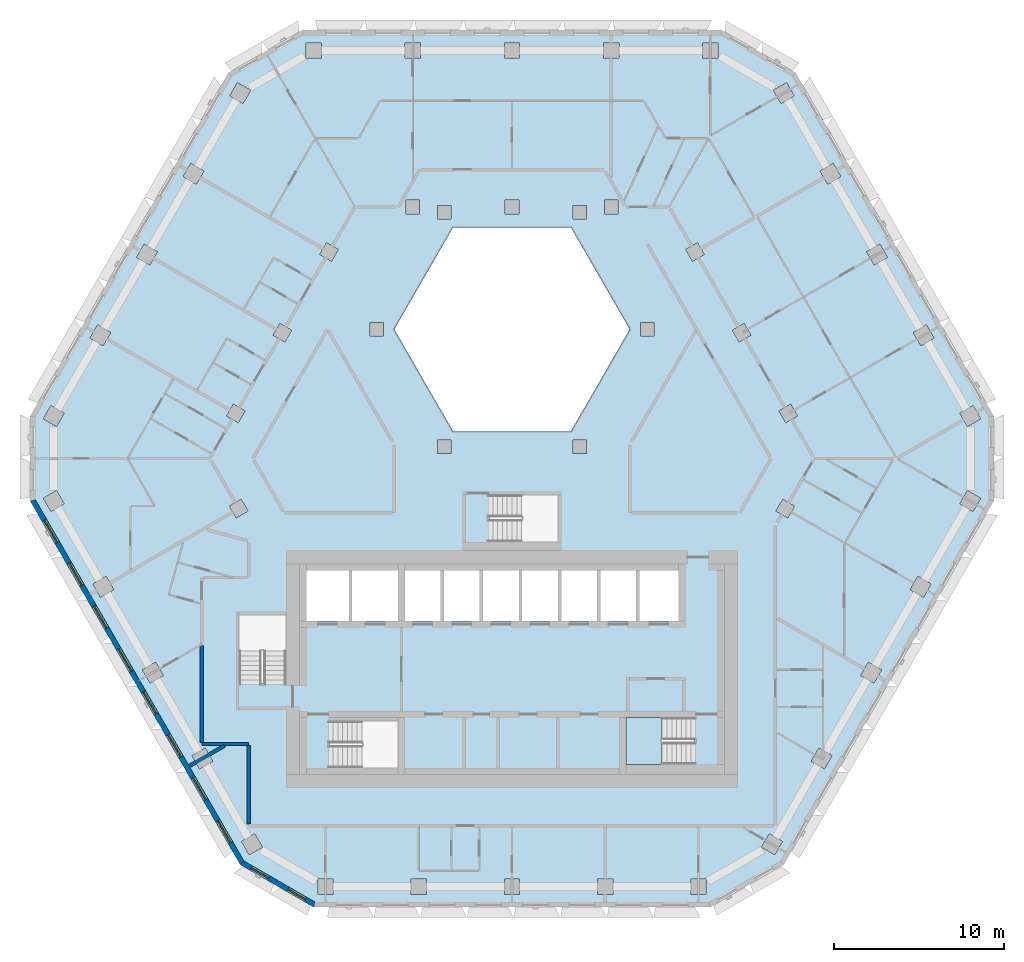
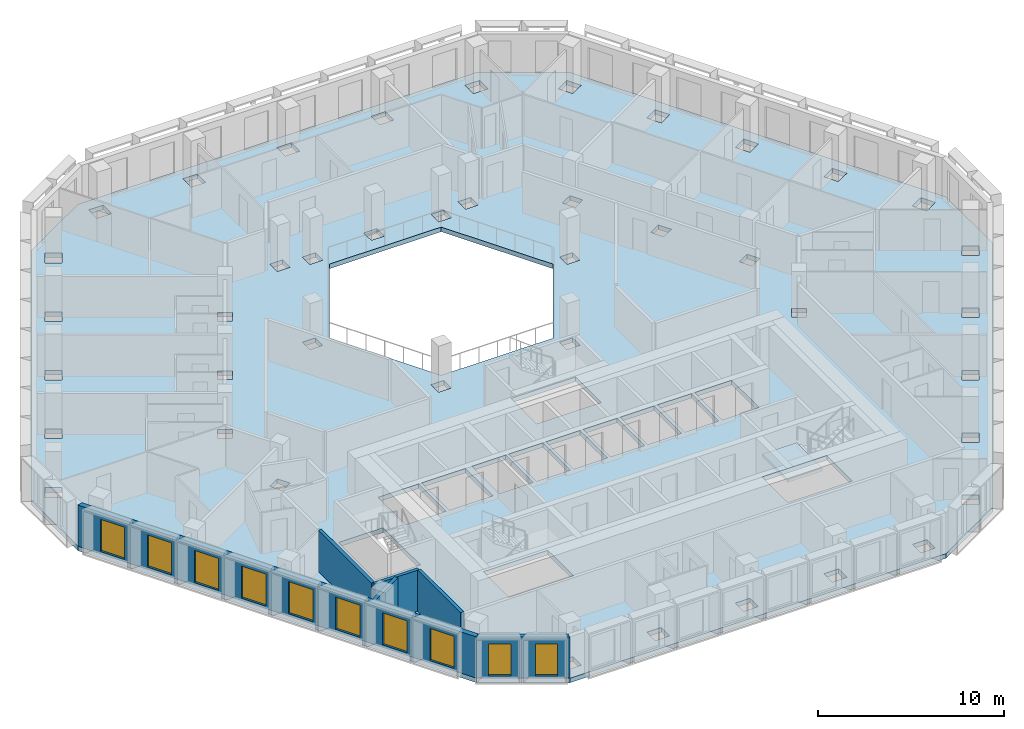
# One storey, part 2 of 17: 10 windows, 6 walls, 2 slabs, 10 openings, 1 element without a shape of its own.
"""IFC4 building model written with IfcOpenShell, lengths in metres."""

from ifc_helpers import new_model, si_unit, direction, frame, frame_2d, origin, place, context, subcontext, project, spatial, polyline, rectangle, outline, extrude, material, layer, layer_set, type_object, element, fill, aggregate, save


model = new_model("IFC4")

# Units and contexts
model_context = context("Model", 3, precision=1e-05, world=origin(), true_north=direction((0.0, 1.0)))
body_context = subcontext(model_context, "Body", "Model", "MODEL_VIEW")
ifc_project = project(units=[si_unit("LENGTHUNIT", "METRE"), si_unit("AREAUNIT", "SQUARE_METRE"), si_unit("VOLUMEUNIT", "CUBIC_METRE"), si_unit("PLANEANGLEUNIT", "RADIAN"), si_unit("MASSUNIT", "GRAM", prefix="KILO")], contexts=[model_context])

# Site, building, storey
site_placement = place(None, origin())
site = spatial("IfcSite", under=ifc_project, at=site_placement, CompositionType="ELEMENT")
building_placement = place(site_placement, origin())
building = spatial("IfcBuilding", under=site, at=building_placement, Name="Beryl Residences", CompositionType="ELEMENT")
storey_placement = place(building_placement, frame((0.0, 0.0, 132.60009765625)))
storey = spatial("IfcBuildingStorey", under=building, at=storey_placement, Name="L40", CompositionType="ELEMENT", Elevation=132.60009765625)

# Slab
ifc_material_1 = material(Name="Concrete C40/50", Category="concrete")
ifc_layer_1 = layer(ifc_material_1, 0.300048828125)
ifc_layer_set_1 = layer_set([ifc_layer_1], Name="SL7 PT floor slab 300 mm C40/50")
slab_type_1 = type_object("IfcSlabType", Name="SL7 PT floor slab 300 mm C40/50", PredefinedType="FLOOR", material=ifc_layer_set_1)
slab_1_placement = place(storey_placement, frame((0.0, 0.0, -0.300048828125)))
element("IfcSlab", 1, at=slab_1_placement, inside=storey, type_object=slab_type_1, Name="L40 slab 1", PredefinedType="FLOOR", context=body_context, shape_type="SweptSolid", body=[
    extrude(outline(polyline([(28.347900390625, -2.10009765625), (15.991943359375, -23.5), (11.662109375, -26.0), (-11.662109375, -26.0), (-15.991943359375, -23.5), (-28.347900390625, -2.10009765625), (-28.347900390625, 2.89990234375), (-16.68505859375, 23.10009765625), (-12.35498046875, 25.60009765625), (12.35498046875, 25.60009765625), (16.68505859375, 23.10009765625), (28.347900390625, 2.89990234375), (28.347900390625, -2.10009765625)]), holes=[polyline([(27.1279296875, 3.514892578125), (26.347900390625, 3.06494140625), (26.798095703125, 2.284912109375), (27.577880859375, 2.735107421875), (27.1279296875, 3.514892578125)]), polyline([(26.7958984375, -1.486083984375), (26.345947265625, -2.26611328125), (27.1259765625, -2.716064453125), (27.575927734375, -1.93603515625), (26.7958984375, -1.486083984375)]), polyline([(23.60498046875, 7.81494140625), (24.054931640625, 7.034912109375), (24.8349609375, 7.485107421875), (24.385009765625, 8.264892578125), (23.60498046875, 7.81494140625)]), polyline([(24.660888671875, -6.986083984375), (23.881103515625, -6.535888671875), (23.430908203125, -7.31591796875), (24.2109375, -7.76611328125), (24.660888671875, -6.986083984375)]), polyline([(21.64306640625, 13.014892578125), (20.863037109375, 12.56494140625), (21.31298828125, 11.784912109375), (22.093017578125, 12.235107421875), (21.64306640625, 13.014892578125)]), polyline([(20.965087890625, -11.5859375), (20.514892578125, -12.365966796875), (21.294921875, -12.81591796875), (21.7451171875, -12.035888671875), (20.965087890625, -11.5859375)]), polyline([(18.1201171875, 17.31494140625), (18.570068359375, 16.534912109375), (19.35009765625, 16.985107421875), (18.89990234375, 17.764892578125), (18.1201171875, 17.31494140625)]), polyline([(18.830078125, -17.0859375), (18.050048828125, -16.635986328125), (17.60009765625, -17.416015625), (18.3798828125, -17.865966796875), (18.830078125, -17.0859375)]), polyline([(16.39892578125, 3.595947265625), (15.70703125, 3.196044921875), (16.10693359375, 2.50390625), (16.799072265625, 2.904052734375), (16.39892578125, 3.595947265625)]), polyline([(16.6240234375, -2.405029296875), (15.931884765625, -2.0048828125), (15.531982421875, -2.697021484375), (16.22412109375, -3.096923828125), (16.6240234375, -2.405029296875)]), polyline([(16.157958984375, 22.514892578125), (15.3779296875, 22.06494140625), (15.827880859375, 21.284912109375), (16.60791015625, 21.735107421875), (16.157958984375, 22.514892578125)]), polyline([(15.9140625, -22.135009765625), (15.134033203125, -21.68505859375), (14.68408203125, -22.465087890625), (15.464111328125, -22.9150390625), (15.9140625, -22.135009765625)]), polyline([(13.656005859375, 8.345947265625), (12.964111328125, 7.946044921875), (13.364013671875, 7.25390625), (14.055908203125, 7.654052734375), (13.656005859375, 8.345947265625)]), polyline([(11.2119140625, 24.85009765625), (11.2119140625, 23.949951171875), (12.112060546875, 23.949951171875), (12.112060546875, 24.85009765625), (11.2119140625, 24.85009765625)]), polyline([(11.4208984375, -24.35009765625), (10.52099609375, -24.35009765625), (10.52099609375, -25.25), (11.4208984375, -25.25), (11.4208984375, -24.35009765625)]), polyline([(10.221923828125, 12.696044921875), (10.6220703125, 12.00390625), (11.31396484375, 12.404052734375), (10.9140625, 13.095947265625), (10.221923828125, 12.696044921875)]), polyline([(6.699951171875, -14.85009765625), (6.699951171875, -17.60009765625), (10.699951171875, -17.60009765625), (10.699951171875, -14.85009765625), (6.699951171875, -14.85009765625)]), polyline([(7.5, -9.14990234375), (9.800048828125, -9.14990234375), (9.800048828125, -6.199951171875), (7.5, -6.199951171875), (7.5, -9.14990234375)]), polyline([(8.366943359375, 7.60009765625), (8.366943359375, 8.39990234375), (7.56689453125, 8.39990234375), (7.56689453125, 7.60009765625), (8.366943359375, 7.60009765625)]), polyline([(7.300048828125, -9.14990234375), (7.300048828125, -6.199951171875), (5.199951171875, -6.199951171875), (5.199951171875, -9.14990234375), (7.300048828125, -9.14990234375)]), polyline([(3.464111328125, 14.0), (-3.464111328125, 14.0), (-6.92822265625, 8.0), (-3.464111328125, 2.0), (3.464111328125, 2.0), (6.92822265625, 8.0), (3.464111328125, 14.0)]), polyline([(5.381103515625, 24.85009765625), (5.381103515625, 23.949951171875), (6.281005859375, 23.949951171875), (6.281005859375, 24.85009765625), (5.381103515625, 24.85009765625)]), polyline([(5.430908203125, 15.60009765625), (5.430908203125, 14.800048828125), (6.23095703125, 14.800048828125), (6.23095703125, 15.60009765625), (5.430908203125, 15.60009765625)]), polyline([(5.93603515625, -25.25), (5.93603515625, -24.35009765625), (5.035888671875, -24.35009765625), (5.035888671875, -25.25), (5.93603515625, -25.25)]), polyline([(2.89990234375, -9.14990234375), (5.0, -9.14990234375), (5.0, -6.199951171875), (2.89990234375, -6.199951171875), (2.89990234375, -9.14990234375)]), polyline([(4.384033203125, 14.5), (4.384033203125, 15.300048828125), (3.583984375, 15.300048828125), (3.583984375, 14.5), (4.384033203125, 14.5)]), polyline([(3.583984375, 1.5), (3.583984375, 0.699951171875), (4.384033203125, 0.699951171875), (4.384033203125, 1.5), (3.583984375, 1.5)]), polyline([(2.699951171875, -4.5), (2.699951171875, -1.75), (-1.300048828125, -1.75), (-1.300048828125, -4.5), (2.699951171875, -4.5)]), polyline([(0.60009765625, -9.14990234375), (2.699951171875, -9.14990234375), (2.699951171875, -6.199951171875), (0.60009765625, -6.199951171875), (0.60009765625, -9.14990234375)]), polyline([(0.450927734375, -24.35009765625), (-0.448974609375, -24.35009765625), (-0.448974609375, -25.25), (0.450927734375, -25.25), (0.450927734375, -24.35009765625)]), polyline([(-0.449951171875, 24.85009765625), (-0.449951171875, 23.949951171875), (0.449951171875, 23.949951171875), (0.449951171875, 24.85009765625), (-0.449951171875, 24.85009765625)]), polyline([(0.39990234375, -6.199951171875), (-1.699951171875, -6.199951171875), (-1.699951171875, -9.14990234375), (0.39990234375, -9.14990234375), (0.39990234375, -6.199951171875)]), polyline([(-0.39990234375, 15.60009765625), (-0.39990234375, 14.800048828125), (0.39990234375, 14.800048828125), (0.39990234375, 15.60009765625), (-0.39990234375, 15.60009765625)]), polyline([(-4.0, -9.14990234375), (-1.89990234375, -9.14990234375), (-1.89990234375, -6.199951171875), (-4.0, -6.199951171875), (-4.0, -9.14990234375)]), polyline([(-3.583984375, 14.5), (-3.583984375, 15.300048828125), (-4.384033203125, 15.300048828125), (-4.384033203125, 14.5), (-3.583984375, 14.5)]), polyline([(-3.583984375, 0.699951171875), (-3.583984375, 1.5), (-4.384033203125, 1.5), (-4.384033203125, 0.699951171875), (-3.583984375, 0.699951171875)]), polyline([(-6.300048828125, -9.14990234375), (-4.199951171875, -9.14990234375), (-4.199951171875, -6.199951171875), (-6.300048828125, -6.199951171875), (-6.300048828125, -9.14990234375)]), polyline([(-5.033935546875, -25.25), (-5.033935546875, -24.35009765625), (-5.93408203125, -24.35009765625), (-5.93408203125, -25.25), (-5.033935546875, -25.25)]), polyline([(-6.281005859375, 23.949951171875), (-5.381103515625, 23.949951171875), (-5.381103515625, 24.85009765625), (-6.281005859375, 24.85009765625), (-6.281005859375, 23.949951171875)]), polyline([(-6.23095703125, 14.800048828125), (-5.430908203125, 14.800048828125), (-5.430908203125, 15.60009765625), (-6.23095703125, 15.60009765625), (-6.23095703125, 14.800048828125)]), polyline([(-6.699951171875, -6.199951171875), (-9.39990234375, -6.199951171875), (-9.39990234375, -9.14990234375), (-6.699951171875, -9.14990234375), (-6.699951171875, -6.199951171875)]), polyline([(-10.699951171875, -15.050048828125), (-10.699951171875, -17.800048828125), (-6.699951171875, -17.800048828125), (-6.699951171875, -15.050048828125), (-10.699951171875, -15.050048828125)]), polyline([(-7.56689453125, 7.60009765625), (-7.56689453125, 8.39990234375), (-8.366943359375, 8.39990234375), (-8.366943359375, 7.60009765625), (-7.56689453125, 7.60009765625)]), polyline([(-12.10009765625, -9.14990234375), (-9.60009765625, -9.14990234375), (-9.60009765625, -6.199951171875), (-12.10009765625, -6.199951171875), (-12.10009765625, -9.14990234375)]), polyline([(-11.31396484375, 12.404052734375), (-10.6220703125, 12.00390625), (-10.221923828125, 12.696044921875), (-10.9140625, 13.095947265625), (-11.31396484375, 12.404052734375)]), polyline([(-11.4189453125, -24.35009765625), (-11.4189453125, -25.25), (-10.51904296875, -25.25), (-10.51904296875, -24.35009765625), (-11.4189453125, -24.35009765625)]), polyline([(-12.112060546875, 24.85009765625), (-12.112060546875, 23.949951171875), (-11.2119140625, 23.949951171875), (-11.2119140625, 24.85009765625), (-12.112060546875, 24.85009765625)]), polyline([(-14.055908203125, 7.654052734375), (-13.364013671875, 7.25390625), (-12.964111328125, 7.946044921875), (-13.656005859375, 8.345947265625), (-14.055908203125, 7.654052734375)]), polyline([(-13.300048828125, -8.800048828125), (-16.050048828125, -8.800048828125), (-16.050048828125, -12.800048828125), (-13.300048828125, -12.800048828125), (-13.300048828125, -8.800048828125)]), polyline([(-14.68505859375, -22.464111328125), (-15.135009765625, -21.68408203125), (-15.9150390625, -22.134033203125), (-15.465087890625, -22.9140625), (-14.68505859375, -22.464111328125)]), polyline([(-15.827880859375, 21.284912109375), (-15.3779296875, 22.06494140625), (-16.157958984375, 22.514892578125), (-16.60791015625, 21.735107421875), (-15.827880859375, 21.284912109375)]), polyline([(-15.532958984375, -2.695068359375), (-15.93310546875, -2.0029296875), (-16.625, -2.403076171875), (-16.22509765625, -3.094970703125), (-15.532958984375, -2.695068359375)]), polyline([(-16.10693359375, 2.50390625), (-15.70703125, 3.196044921875), (-16.39892578125, 3.595947265625), (-16.799072265625, 2.904052734375), (-16.10693359375, 2.50390625)]), polyline([(-17.60107421875, -17.4140625), (-18.051025390625, -16.634033203125), (-18.8310546875, -17.083984375), (-18.381103515625, -17.864013671875), (-17.60107421875, -17.4140625)]), polyline([(-19.35009765625, 16.985107421875), (-18.570068359375, 16.534912109375), (-18.1201171875, 17.31494140625), (-18.89990234375, 17.764892578125), (-19.35009765625, 16.985107421875)]), polyline([(-21.2958984375, -12.81396484375), (-20.51611328125, -12.364013671875), (-20.966064453125, -11.583984375), (-21.74609375, -12.033935546875), (-21.2958984375, -12.81396484375)]), polyline([(-20.863037109375, 12.56494140625), (-21.64306640625, 13.014892578125), (-22.093017578125, 12.235107421875), (-21.31298828125, 11.784912109375), (-20.863037109375, 12.56494140625)]), polyline([(-24.2119140625, -7.763916015625), (-23.431884765625, -7.31396484375), (-23.882080078125, -6.533935546875), (-24.662109375, -6.98388671875), (-24.2119140625, -7.763916015625)]), polyline([(-24.8349609375, 7.485107421875), (-24.054931640625, 7.034912109375), (-23.60498046875, 7.81494140625), (-24.385009765625, 8.264892578125), (-24.8349609375, 7.485107421875)]), polyline([(-27.126953125, -2.715087890625), (-26.346923828125, -2.264892578125), (-26.797119140625, -1.485107421875), (-27.576904296875, -1.93505859375), (-27.126953125, -2.715087890625)]), polyline([(-27.577880859375, 2.735107421875), (-26.798095703125, 2.284912109375), (-26.347900390625, 3.06494140625), (-27.1279296875, 3.514892578125), (-27.577880859375, 2.735107421875)])]), origin(), (0.0, 0.0, 1.0), 0.300048828125),
])

# Stair, slab
ifc_material_2 = material(Name="Concrete C40/50", Category="concrete")
stair_type = type_object("IfcStairType", Name="ST1 protected exit stair, half-turn, 1300 mm flights", PredefinedType="HALF_TURN_STAIR", material=ifc_material_2)
stair_placement = place(storey_placement, origin())
stair = element("IfcStair", 2, at=stair_placement, inside=storey, type_object=stair_type, Name="L40 PROTECTED EXIT STAIR ST-3", PredefinedType="HALF_TURN_STAIR")
ifc_material_3 = material(Name="Concrete C40/50", Category="concrete")
ifc_layer_2 = layer(ifc_material_3, 0.199951171875)
ifc_layer_set_2 = layer_set([ifc_layer_2], Name="SLD1 stair landing 200 mm")
slab_type_2 = type_object("IfcSlabType", Name="SLD1 stair landing 200 mm", PredefinedType="LANDING", material=ifc_layer_set_2)
slab_2_placement = place(storey_placement, frame((0.0, 0.0, 1.2998046875)))
slab_2 = element("IfcSlab", 3, at=slab_2_placement, type_object=slab_type_2, Name="ST-3 landing 1", PredefinedType="LANDING", context=body_context, shape_type="SweptSolid", body=[
    extrude(outline(polyline([(8.840087890625, -14.85009765625), (6.699951171875, -14.85009765625), (6.699951171875, -17.60009765625), (8.840087890625, -17.60009765625), (8.840087890625, -14.85009765625)])), origin(), (0.0, 0.0, 1.0), 0.2001953125),
])
aggregate(stair, [slab_2])

# Wall, openings, windows
ifc_material_4 = material(Name="Composite metal panel with mineral wool insulation")
ifc_layer_3 = layer(ifc_material_4, 0.300048828125)
ifc_layer_set_3 = layer_set([ifc_layer_3], Name="ES1 pale metal composite panel wall 300 mm")
wall_type_1 = type_object("IfcWallType", Name="ES1 pale metal composite panel wall 300 mm", PredefinedType="SOLIDWALL", material=ifc_layer_set_3)
wall_1_placement = place(storey_placement, frame((-28.218017578125, -2.02490234375, 0.0), z_axis=(0.0, 0.0, 1.0), x_axis=(0.500017503135, -0.866015298109, 0.0)))
wall_1 = element("IfcWall", 4, at=wall_1_placement, inside=storey, type_object=wall_type_1, Name="ES1 external wall L40 SW", PredefinedType="SOLIDWALL", context=body_context, shape_type="SweptSolid", body=[
    extrude(outline(polyline([(0.0, -0.14990234375), (24.7109375, -0.14990234375), (24.630615234375, 0.14990234375), (0.080322265625, 0.14990234375), (0.0, -0.14990234375)])), origin(), (0.0, 0.0, 1.0), 2.699951171875),
])
opening_1_placement = place(wall_1_placement, frame((1.39990234375, 0.0, 0.14990234375)))
opening_1 = element("IfcOpeningElement", 5, at=opening_1_placement, cuts=wall_1, Name="Opening W1", PredefinedType="OPENING", context=body_context, shape_type="SweptSolid", body=[
    extrude(rectangle(XDim=1.5, YDim=2.10009765625, at=frame_2d((0.75, 1.050048828125))), frame((0.0, 0.159912109375, 0.0), z_axis=(0.0, -1.0, 0.0), x_axis=(1.0, 0.0, 0.0)), (0.0, 0.0, 1.0), 0.320068359375),
])
opening_2_placement = place(wall_1_placement, frame((4.31591796875, 0.0, 0.14990234375)))
opening_2 = element("IfcOpeningElement", 6, at=opening_2_placement, cuts=wall_1, Name="Opening W1", PredefinedType="OPENING", context=body_context, shape_type="SweptSolid", body=[
    extrude(rectangle(XDim=1.5, YDim=2.10009765625, at=frame_2d((0.75, 1.050048828125))), frame((0.0, 0.159912109375, 0.0), z_axis=(0.0, -1.0, 0.0), x_axis=(1.0, 0.0, 0.0)), (0.0, 0.0, 1.0), 0.320068359375),
])
opening_3_placement = place(wall_1_placement, frame((7.23095703125, 0.0, 0.14990234375)))
opening_3 = element("IfcOpeningElement", 7, at=opening_3_placement, cuts=wall_1, Name="Opening W1", PredefinedType="OPENING", context=body_context, shape_type="SweptSolid", body=[
    extrude(rectangle(XDim=1.5, YDim=2.10009765625, at=frame_2d((0.75, 1.050048828125))), frame((0.0, 0.159912109375, 0.0), z_axis=(0.0, -1.0, 0.0), x_axis=(1.0, 0.0, 0.0)), (0.0, 0.0, 1.0), 0.320068359375),
])
opening_4_placement = place(wall_1_placement, frame((10.14697265625, 0.0, 0.14990234375)))
opening_4 = element("IfcOpeningElement", 8, at=opening_4_placement, cuts=wall_1, Name="Opening W1", PredefinedType="OPENING", context=body_context, shape_type="SweptSolid", body=[
    extrude(rectangle(XDim=1.5, YDim=2.10009765625, at=frame_2d((0.75, 1.050048828125))), frame((0.0, 0.159912109375, 0.0), z_axis=(0.0, -1.0, 0.0), x_axis=(1.0, 0.0, 0.0)), (0.0, 0.0, 1.0), 0.320068359375),
])
opening_5_placement = place(wall_1_placement, frame((13.06201171875, 0.0, 0.14990234375)))
opening_5 = element("IfcOpeningElement", 9, at=opening_5_placement, cuts=wall_1, Name="Opening W1", PredefinedType="OPENING", context=body_context, shape_type="SweptSolid", body=[
    extrude(rectangle(XDim=1.5, YDim=2.10009765625, at=frame_2d((0.75, 1.050048828125))), frame((0.0, 0.159912109375, 0.0), z_axis=(0.0, -1.0, 0.0), x_axis=(1.0, 0.0, 0.0)), (0.0, 0.0, 1.0), 0.320068359375),
])
opening_6_placement = place(wall_1_placement, frame((15.97705078125, 0.0, 0.14990234375)))
opening_6 = element("IfcOpeningElement", 10, at=opening_6_placement, cuts=wall_1, Name="Opening W1", PredefinedType="OPENING", context=body_context, shape_type="SweptSolid", body=[
    extrude(rectangle(XDim=1.5, YDim=2.10009765625, at=frame_2d((0.75, 1.050048828125))), frame((0.0, 0.159912109375, 0.0), z_axis=(0.0, -1.0, 0.0), x_axis=(1.0, 0.0, 0.0)), (0.0, 0.0, 1.0), 0.320068359375),
])
opening_7_placement = place(wall_1_placement, frame((18.89306640625, 0.0, 0.14990234375)))
opening_7 = element("IfcOpeningElement", 11, at=opening_7_placement, cuts=wall_1, Name="Opening W1", PredefinedType="OPENING", context=body_context, shape_type="SweptSolid", body=[
    extrude(rectangle(XDim=1.5, YDim=2.10009765625, at=frame_2d((0.75, 1.050048828125))), frame((0.0, 0.159912109375, 0.0), z_axis=(0.0, -1.0, 0.0), x_axis=(1.0, 0.0, 0.0)), (0.0, 0.0, 1.0), 0.320068359375),
])
opening_8_placement = place(wall_1_placement, frame((21.80908203125, 0.0, 0.14990234375)))
opening_8 = element("IfcOpeningElement", 12, at=opening_8_placement, cuts=wall_1, Name="Opening W1", PredefinedType="OPENING", context=body_context, shape_type="SweptSolid", body=[
    extrude(rectangle(XDim=1.5, YDim=2.10009765625, at=frame_2d((0.75, 1.050048828125))), frame((0.0, 0.159912109375, 0.0), z_axis=(0.0, -1.0, 0.0), x_axis=(1.0, 0.0, 0.0)), (0.0, 0.0, 1.0), 0.320068359375),
])
ifc_material_5 = material(Name="Aluminium and clear glass", Category="aluminium")
window_type_1 = type_object("IfcWindowType", Name="W1 cell window 1500 x 2100 mm", PartitioningType="SINGLE_PANEL", PredefinedType="WINDOW", material=ifc_material_5)
window_1_placement = place(opening_1_placement, origin())
window_1 = element("IfcWindow", 13, at=window_1_placement, inside=storey, type_object=window_type_1, Name="W1 window L40 SW 1", OverallHeight=2.10009765625, OverallWidth=1.5, PartitioningType="SINGLE_PANEL", PredefinedType="WINDOW", context=body_context, shape_type="SweptSolid", body=[
    extrude(rectangle(XDim=1.5, YDim=2.10009765625, at=frame_2d((0.75, 1.050048828125))), frame((0.0, 0.030029296875, 0.0), z_axis=(0.0, -1.0, 0.0), x_axis=(1.0, 0.0, 0.0)), (0.0, 0.0, 1.0), 0.06005859375),
])
fill(opening_1, window_1)
window_2_placement = place(opening_2_placement, origin())
window_2 = element("IfcWindow", 14, at=window_2_placement, inside=storey, type_object=window_type_1, Name="W1 window L40 SW 2", OverallHeight=2.10009765625, OverallWidth=1.5, PartitioningType="SINGLE_PANEL", PredefinedType="WINDOW", context=body_context, shape_type="SweptSolid", body=[
    extrude(rectangle(XDim=1.5, YDim=2.10009765625, at=frame_2d((0.75, 1.050048828125))), frame((0.0, 0.030029296875, 0.0), z_axis=(0.0, -1.0, 0.0), x_axis=(1.0, 0.0, 0.0)), (0.0, 0.0, 1.0), 0.06005859375),
])
fill(opening_2, window_2)
window_3_placement = place(opening_3_placement, origin())
window_3 = element("IfcWindow", 15, at=window_3_placement, inside=storey, type_object=window_type_1, Name="W1 window L40 SW 3", OverallHeight=2.10009765625, OverallWidth=1.5, PartitioningType="SINGLE_PANEL", PredefinedType="WINDOW", context=body_context, shape_type="SweptSolid", body=[
    extrude(rectangle(XDim=1.5, YDim=2.10009765625, at=frame_2d((0.75, 1.050048828125))), frame((0.0, 0.030029296875, 0.0), z_axis=(0.0, -1.0, 0.0), x_axis=(1.0, 0.0, 0.0)), (0.0, 0.0, 1.0), 0.06005859375),
])
fill(opening_3, window_3)
window_4_placement = place(opening_4_placement, origin())
window_4 = element("IfcWindow", 16, at=window_4_placement, inside=storey, type_object=window_type_1, Name="W1 window L40 SW 4", OverallHeight=2.10009765625, OverallWidth=1.5, PartitioningType="SINGLE_PANEL", PredefinedType="WINDOW", context=body_context, shape_type="SweptSolid", body=[
    extrude(rectangle(XDim=1.5, YDim=2.10009765625, at=frame_2d((0.75, 1.050048828125))), frame((0.0, 0.030029296875, 0.0), z_axis=(0.0, -1.0, 0.0), x_axis=(1.0, 0.0, 0.0)), (0.0, 0.0, 1.0), 0.06005859375),
])
fill(opening_4, window_4)
window_5_placement = place(opening_5_placement, origin())
window_5 = element("IfcWindow", 17, at=window_5_placement, inside=storey, type_object=window_type_1, Name="W1 window L40 SW 5", OverallHeight=2.10009765625, OverallWidth=1.5, PartitioningType="SINGLE_PANEL", PredefinedType="WINDOW", context=body_context, shape_type="SweptSolid", body=[
    extrude(rectangle(XDim=1.5, YDim=2.10009765625, at=frame_2d((0.75, 1.050048828125))), frame((0.0, 0.030029296875, 0.0), z_axis=(0.0, -1.0, 0.0), x_axis=(1.0, 0.0, 0.0)), (0.0, 0.0, 1.0), 0.06005859375),
])
fill(opening_5, window_5)
window_6_placement = place(opening_6_placement, origin())
window_6 = element("IfcWindow", 18, at=window_6_placement, inside=storey, type_object=window_type_1, Name="W1 window L40 SW 6", OverallHeight=2.10009765625, OverallWidth=1.5, PartitioningType="SINGLE_PANEL", PredefinedType="WINDOW", context=body_context, shape_type="SweptSolid", body=[
    extrude(rectangle(XDim=1.5, YDim=2.10009765625, at=frame_2d((0.75, 1.050048828125))), frame((0.0, 0.030029296875, 0.0), z_axis=(0.0, -1.0, 0.0), x_axis=(1.0, 0.0, 0.0)), (0.0, 0.0, 1.0), 0.06005859375),
])
fill(opening_6, window_6)
window_7_placement = place(opening_7_placement, origin())
window_7 = element("IfcWindow", 19, at=window_7_placement, inside=storey, type_object=window_type_1, Name="W1 window L40 SW 7", OverallHeight=2.10009765625, OverallWidth=1.5, PartitioningType="SINGLE_PANEL", PredefinedType="WINDOW", context=body_context, shape_type="SweptSolid", body=[
    extrude(rectangle(XDim=1.5, YDim=2.10009765625, at=frame_2d((0.75, 1.050048828125))), frame((0.0, 0.030029296875, 0.0), z_axis=(0.0, -1.0, 0.0), x_axis=(1.0, 0.0, 0.0)), (0.0, 0.0, 1.0), 0.06005859375),
])
fill(opening_7, window_7)
window_8_placement = place(opening_8_placement, origin())
window_8 = element("IfcWindow", 20, at=window_8_placement, inside=storey, type_object=window_type_1, Name="W1 window L40 SW 8", OverallHeight=2.10009765625, OverallWidth=1.5, PartitioningType="SINGLE_PANEL", PredefinedType="WINDOW", context=body_context, shape_type="SweptSolid", body=[
    extrude(rectangle(XDim=1.5, YDim=2.10009765625, at=frame_2d((0.75, 1.050048828125))), frame((0.0, 0.030029296875, 0.0), z_axis=(0.0, -1.0, 0.0), x_axis=(1.0, 0.0, 0.0)), (0.0, 0.0, 1.0), 0.06005859375),
])
fill(opening_8, window_8)

wall_2_placement = place(storey_placement, frame((-15.9169921875, -23.3701171875, 0.0), z_axis=(0.0, 0.0, 1.0), x_axis=(0.866022959057, -0.500004234368, 0.0)))
wall_2 = element("IfcWall", 21, at=wall_2_placement, inside=storey, type_object=wall_type_1, Name="ES1 external wall L40 SW-S", PredefinedType="SOLIDWALL", context=body_context, shape_type="SweptSolid", body=[
    extrude(outline(polyline([(0.0, -0.14990234375), (5.0, -0.14990234375), (4.919677734375, 0.14990234375), (0.080322265625, 0.14990234375), (0.0, -0.14990234375)])), origin(), (0.0, 0.0, 1.0), 2.699951171875),
])
opening_9_placement = place(wall_2_placement, frame((0.64990234375, 0.0, 0.14990234375)))
opening_9 = element("IfcOpeningElement", 22, at=opening_9_placement, cuts=wall_2, Name="Opening W2", PredefinedType="OPENING", context=body_context, shape_type="SweptSolid", body=[
    extrude(rectangle(XDim=1.199951171875, YDim=2.10009765625, at=frame_2d((0.60009765625, 1.050048828125))), frame((0.0, 0.159912109375, 0.0), z_axis=(0.0, -1.0, 0.0), x_axis=(1.0, 0.0, 0.0)), (0.0, 0.0, 1.0), 0.320068359375),
])
opening_10_placement = place(wall_2_placement, frame((3.14990234375, 0.0, 0.14990234375)))
opening_10 = element("IfcOpeningElement", 23, at=opening_10_placement, cuts=wall_2, Name="Opening W2", PredefinedType="OPENING", context=body_context, shape_type="SweptSolid", body=[
    extrude(rectangle(XDim=1.199951171875, YDim=2.10009765625, at=frame_2d((0.60009765625, 1.050048828125))), frame((0.0, 0.159912109375, 0.0), z_axis=(0.0, -1.0, 0.0), x_axis=(1.0, 0.0, 0.0)), (0.0, 0.0, 1.0), 0.320068359375),
])
ifc_material_6 = material(Name="Aluminium and clear glass", Category="aluminium")
window_type_2 = type_object("IfcWindowType", Name="W2 chamfer window 1200 x 2100 mm", PartitioningType="SINGLE_PANEL", PredefinedType="WINDOW", material=ifc_material_6)
window_9_placement = place(opening_9_placement, origin())
window_9 = element("IfcWindow", 24, at=window_9_placement, inside=storey, type_object=window_type_2, Name="W2 window L40 SW-S 1", OverallHeight=2.10009765625, OverallWidth=1.199951171875, PartitioningType="SINGLE_PANEL", PredefinedType="WINDOW", context=body_context, shape_type="SweptSolid", body=[
    extrude(rectangle(XDim=1.199951171875, YDim=2.10009765625, at=frame_2d((0.60009765625, 1.050048828125))), frame((0.0, 0.030029296875, 0.0), z_axis=(0.0, -1.0, 0.0), x_axis=(1.0, 0.0, 0.0)), (0.0, 0.0, 1.0), 0.06005859375),
])
fill(opening_9, window_9)
window_10_placement = place(opening_10_placement, origin())
window_10 = element("IfcWindow", 25, at=window_10_placement, inside=storey, type_object=window_type_2, Name="W2 window L40 SW-S 2", OverallHeight=2.10009765625, OverallWidth=1.199951171875, PartitioningType="SINGLE_PANEL", PredefinedType="WINDOW", context=body_context, shape_type="SweptSolid", body=[
    extrude(rectangle(XDim=1.199951171875, YDim=2.10009765625, at=frame_2d((0.60009765625, 1.050048828125))), frame((0.0, 0.030029296875, 0.0), z_axis=(0.0, -1.0, 0.0), x_axis=(1.0, 0.0, 0.0)), (0.0, 0.0, 1.0), 0.06005859375),
])
fill(opening_10, window_10)

# Walls
ifc_material_7 = material(Name="Acoustic double stud gypsum board wall")
ifc_layer_4 = layer(ifc_material_7, 0.199951171875)
ifc_layer_set_4 = layer_set([ifc_layer_4], Name="PT3 party wall 200 mm acoustic double stud")
wall_type_2 = type_object("IfcWallType", Name="PT3 party wall 200 mm acoustic double stud", PredefinedType="PARTITIONING", material=ifc_layer_set_4)
wall_3_placement = place(storey_placement, frame((-18.9951171875, -17.698974609375, 0.0), z_axis=(0.0, 0.0, 1.0), x_axis=(0.86607371389, 0.499916315105, 0.0)))
element("IfcWall", 26, at=wall_3_placement, inside=storey, type_object=wall_type_2, Name="Wall PT3 L40 009", PredefinedType="PARTITIONING", context=body_context, shape_type="SweptSolid", body=[
    extrude(rectangle(XDim=2.3984375, YDim=0.199951171875, at=frame_2d((1.19921875, 0.0))), origin(), (0.0, 0.0, 1.0), 2.699951171875),
])
ifc_material_8 = material(Name="Double stud gypsum board wall")
ifc_layer_5 = layer(ifc_material_8, 0.199951171875)
ifc_layer_set_5 = layer_set([ifc_layer_5], Name="PT4 corridor wall 200 mm double stud")
wall_type_3 = type_object("IfcWallType", Name="PT4 corridor wall 200 mm double stud", PredefinedType="PARTITIONING", material=ifc_layer_set_5)
wall_4_placement = place(storey_placement, frame((-15.5, -16.5, 0.0), z_axis=(0.0, 0.0, 1.0), x_axis=(0.0, -1.0, 0.0)))
element("IfcWall", 27, at=wall_4_placement, inside=storey, type_object=wall_type_3, Name="Wall PT4 L40 007", PredefinedType="PARTITIONING", context=body_context, shape_type="SweptSolid", body=[
    extrude(rectangle(XDim=4.59912109375, YDim=0.199951171875, at=frame_2d((2.299560546875, 0.0))), origin(), (0.0, 0.0, 1.0), 2.699951171875),
])
wall_5_placement = place(storey_placement, frame((-18.25, -10.593017578125, 0.0), z_axis=(0.0, 0.0, 1.0), x_axis=(0.0, -1.0, 0.0)))
element("IfcWall", 28, at=wall_5_placement, inside=storey, type_object=wall_type_3, Name="Wall PT4 L40 008", PredefinedType="PARTITIONING", context=body_context, shape_type="SweptSolid", body=[
    extrude(rectangle(XDim=5.7060546875, YDim=0.199951171875, at=frame_2d((2.85302734375, 0.0))), origin(), (0.0, 0.0, 1.0), 2.699951171875),
])
wall_6_placement = place(storey_placement, frame((-18.2490234375, -16.39990234375, 0.0), z_axis=(0.0, 0.0, 1.0), x_axis=(1.0, 0.0, 0.0)))
element("IfcWall", 29, at=wall_6_placement, inside=storey, type_object=wall_type_3, Name="Wall PT4 L40 010", PredefinedType="PARTITIONING", context=body_context, shape_type="SweptSolid", body=[
    extrude(rectangle(XDim=2.7490234375, YDim=0.199951171875, at=frame_2d((1.37451171875, 0.0))), origin(), (0.0, 0.0, 1.0), 2.699951171875),
])

save(model, "model.ifc")
